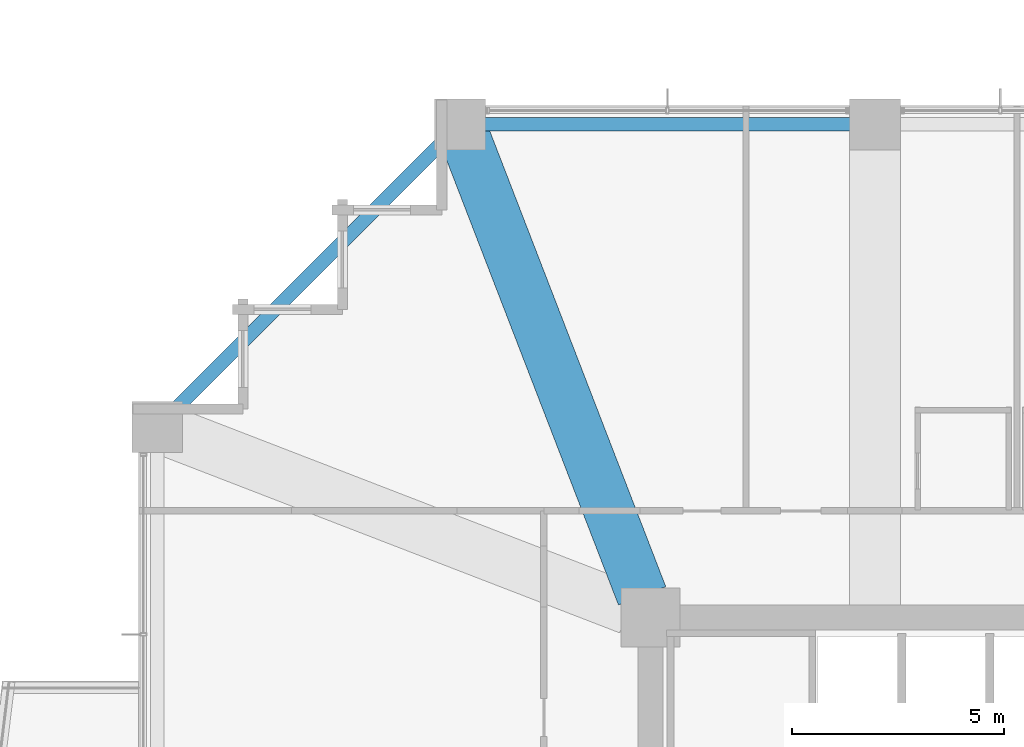
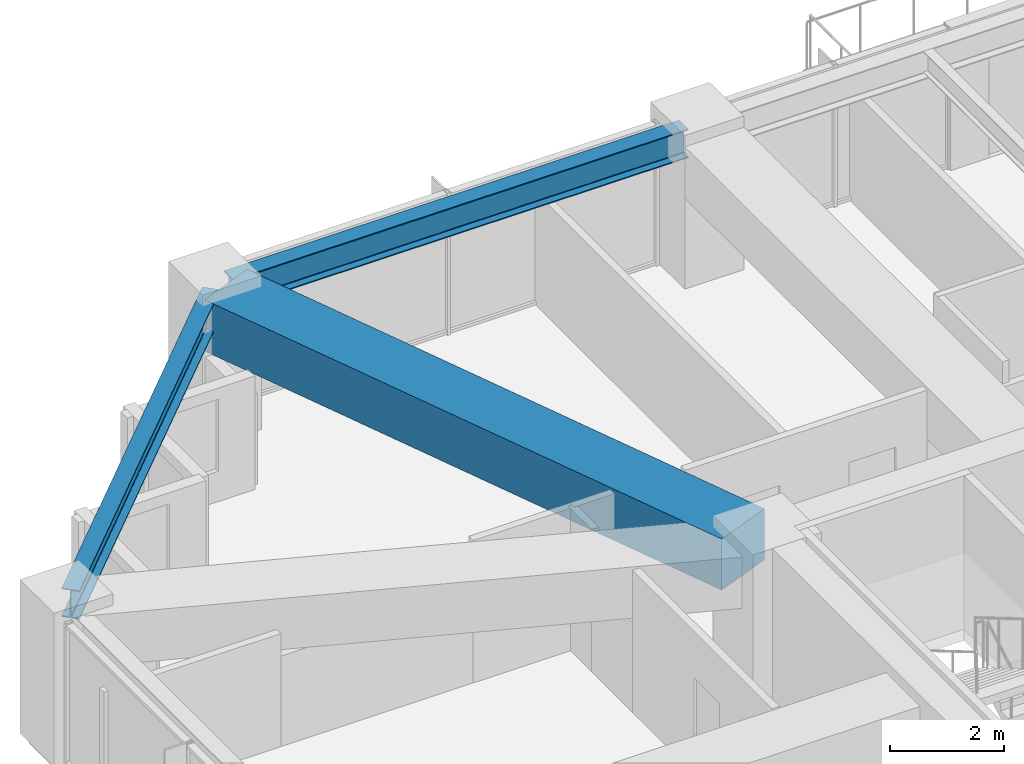
# One storey, part 20 of 39: 3 beams.
"""IFC4 building model written with IfcOpenShell, lengths in metres."""

from ifc_helpers import new_model, si_unit, direction, frame, origin, origin_2d, place, context, subcontext, project, spatial, rectangle, i_section, extrude, material, material_profile, profile_set, type_object, element, save


model = new_model("IFC4")

# Units and contexts
model_context = context("Model", 3, precision=1e-05, world=origin(), true_north=direction((0.0, 1.0)))
body_context = subcontext(model_context, "Body", "Model", "MODEL_VIEW")
ifc_project = project(units=[si_unit("LENGTHUNIT", "METRE"), si_unit("AREAUNIT", "SQUARE_METRE"), si_unit("VOLUMEUNIT", "CUBIC_METRE"), si_unit("PLANEANGLEUNIT", "RADIAN"), si_unit("MASSUNIT", "GRAM", prefix="KILO")], contexts=[model_context])

# Site, building, storey
site_placement = place(None, origin())
site = spatial("IfcSite", under=ifc_project, at=site_placement, CompositionType="ELEMENT")
building_placement = place(site_placement, origin())
building = spatial("IfcBuilding", under=site, at=building_placement, Name="Kolvaren Belvedere", CompositionType="ELEMENT")
storey_placement = place(building_placement, frame((0.0, 0.0, 33.699951171875)))
storey = spatial("IfcBuildingStorey", under=building, at=storey_placement, Name="L09", CompositionType="ELEMENT", Elevation=33.699951171875)

# Beams
ifc_material_1 = material(Name="Structural steel ASTM A992 Grade 50", Category="steel")
ifc_material_profile_1 = material_profile(ifc_material_1, i_section(OverallWidth=0.324951171875, OverallDepth=0.615966796875, WebThickness=0.013916015625, FlangeThickness=0.021484375, FilletRadius=0.02001953125, at=origin_2d()), Name="W24X117")
ifc_profile_set_1 = profile_set([ifc_material_profile_1], Name="Structural steel ASTM A992 Grade 50")
beam_type_1 = type_object("IfcBeamType", Name="BM-SPAN-W24X117", PredefinedType="SPANDREL", material=ifc_profile_set_1)
beam_1_placement = place(storey_placement, frame((-4.8701171875, 21.550048828125, 2.751953125), z_axis=(-1.0, 0.0, 0.0), x_axis=(0.0, -1.0, 0.0)))
element("IfcBeam", 1, at=beam_1_placement, inside=storey, type_object=beam_type_1, Name="L09 Perimeter Spandrel N2-N1", PredefinedType="SPANDREL", context=body_context, shape_type="SweptSolid", body=[
    extrude(i_section(OverallWidth=0.324951171875, OverallDepth=0.615966796875, WebThickness=0.013916015625, FlangeThickness=0.021484375, FilletRadius=0.02001953125, at=origin_2d()), origin(), (0.0, 0.0, 1.0), 9.259765625),
])
beam_2_placement = place(storey_placement, frame((-14.5908203125, 21.359130859375, 2.751953125), z_axis=(-0.707106781187, -0.707106781187, 0.0), x_axis=(0.707106781187, -0.707106781187, 0.0)))
element("IfcBeam", 2, at=beam_2_placement, inside=storey, type_object=beam_type_1, Name="L09 Perimeter Spandrel N1-W4", PredefinedType="SPANDREL", context=body_context, shape_type="SweptSolid", body=[
    extrude(i_section(OverallWidth=0.324951171875, OverallDepth=0.615966796875, WebThickness=0.013916015625, FlangeThickness=0.021484375, FilletRadius=0.02001953125, at=origin_2d()), origin(), (0.0, 0.0, 1.0), 9.57177734375),
])
ifc_material_2 = material(Name="Concrete C50/60", Category="concrete")
ifc_material_profile_2 = material_profile(ifc_material_2, rectangle(XDim=1.199951171875, YDim=1.10009765625, at=origin_2d()), Name="RC 1200X1100")
ifc_profile_set_2 = profile_set([ifc_material_profile_2], Name="Concrete C50/60")
beam_type_2 = type_object("IfcBeamType", Name="BM-TG-1100", PredefinedType="BEAM", material=ifc_profile_set_2)
beam_3_placement = place(storey_placement, frame((-10.09814453125, 10.4130859375, 2.510009765625), z_axis=(-0.360318391835, 0.932829382313, 0.0), x_axis=(-0.932829382313, -0.360318391835, 0.0)))
element("IfcBeam", 3, at=beam_3_placement, inside=storey, type_object=beam_type_2, Name="L09 Corner Core-to-Perimeter Girder CC4-N1", PredefinedType="BEAM", context=body_context, shape_type="SweptSolid", body=[
    extrude(rectangle(XDim=1.199951171875, YDim=1.10009765625, at=origin_2d()), origin(), (0.0, 0.0, 1.0), 11.698974609375),
])

save(model, "model.ifc")
